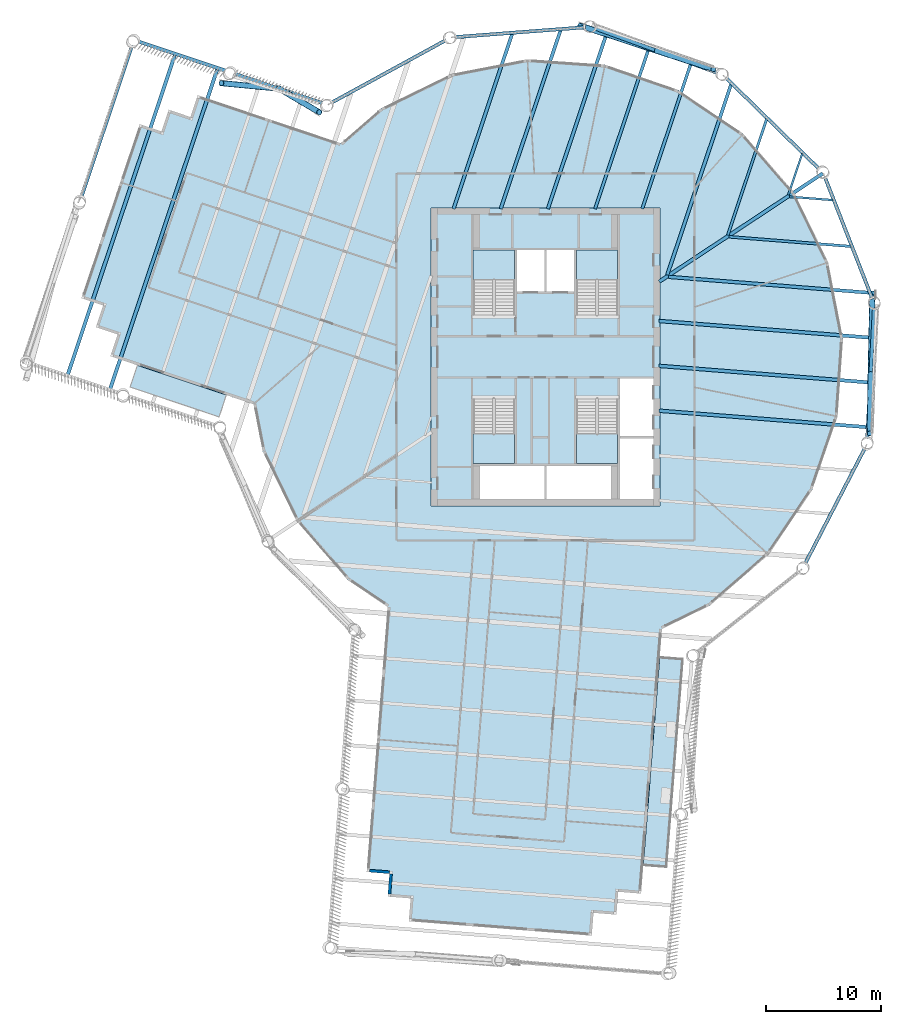
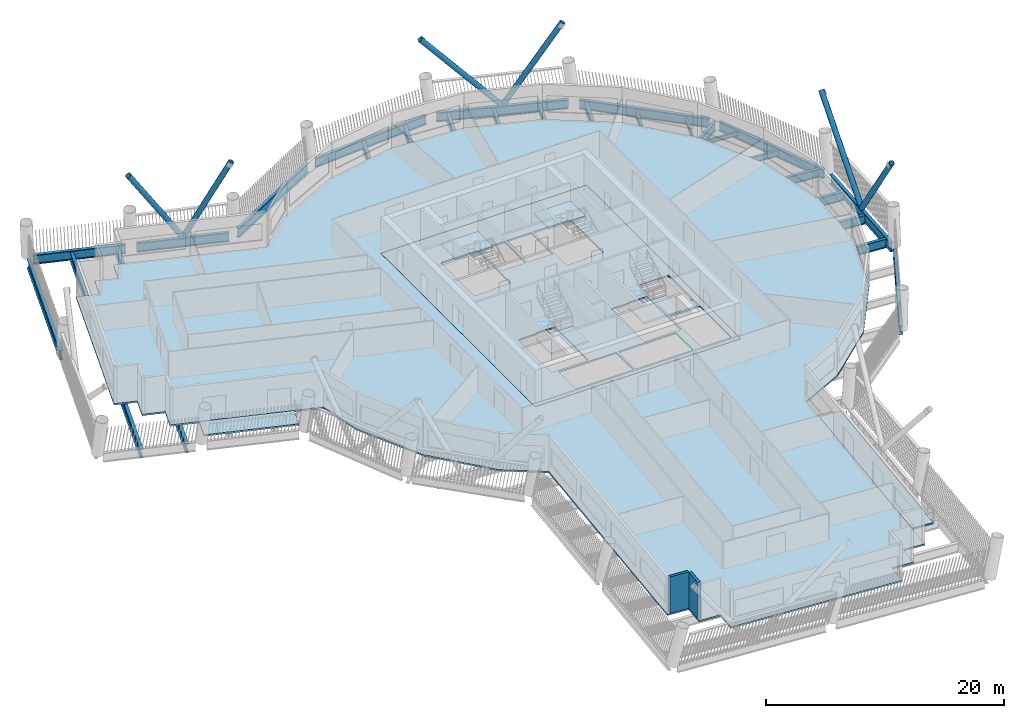
# One storey, part 2 of 21: 27 beams, 8 slabs, 6 members, 2 walls, 4 elements without a shape of their own.
"""IFC4 building model written with IfcOpenShell, lengths in metres."""

import ifcopenshell
import ifcopenshell.guid

model = None  # the IFC model being written
_history = None  # IfcOwnerHistory: only IFC2X3 demands one
_inside = {}  # id of a spatial element -> (the spatial element, [elements in it])
_under = {}  # id of a project, library or spatial element -> (it, [spatial elements below it])
_declared = {}  # id of a project -> (the project, [libraries it declares])
_typed = {}  # id of a type object -> (the type object, [elements of that type])
_made_of = {}  # id of a material, layer set ... -> (it, [elements and type objects made of it])


def new_model(schema):
    """Start an empty IFC model of exactly this schema.

    Asked for "IFC4X3", IfcOpenShell would pick the latest addendum, in which some entities
    have other attributes; the version numbers below select the first issue.
    IFC2X3 requires an IfcOwnerHistory on every rooted entity: one is made here for all.
    """
    global model, _history
    if schema == "IFC4X3":
        model = ifcopenshell.file(schema_version=(4, 3, 0, 0))
    else:
        model = ifcopenshell.file(schema=schema)
    _inside.clear()
    _under.clear()
    _declared.clear()
    _typed.clear()
    _made_of.clear()
    _history = None
    if model.schema == "IFC2X3":
        org = make("IfcOrganization", Name="unknown")
        user = make(
            "IfcPersonAndOrganization",
            ThePerson=make("IfcPerson", FamilyName="unknown"),
            TheOrganization=org,
        )
        app = make(
            "IfcApplication",
            ApplicationDeveloper=org,
            Version="unknown",
            ApplicationFullName="unknown",
            ApplicationIdentifier="unknown",
        )
        _history = make(
            "IfcOwnerHistory",
            OwningUser=user,
            OwningApplication=app,
            ChangeAction="ADDED",
            CreationDate=0,
        )
    return model


def make(cls, **values):
    """One entity of the class cls with the attributes given. An attribute that is None is left unset."""
    return model.create_entity(
        cls, **{name: value for name, value in values.items() if value is not None}
    )


def rooted(cls, **values):
    """An entity with a GlobalId (a new one), such as an element, a storey or a relation."""
    return make(cls, GlobalId=ifcopenshell.guid.new(), OwnerHistory=_history, **values)


def si_unit(unit_type, name, prefix=None):
    """IfcSIUnit, for example si_unit("LENGTHUNIT", "METRE", prefix="MILLI")."""
    return make("IfcSIUnit", UnitType=unit_type, Prefix=prefix, Name=name)


def assignment(units):
    """IfcUnitAssignment: the units of a project."""
    return None if units is None else make("IfcUnitAssignment", Units=units)


def point(xyz):
    """IfcCartesianPoint."""
    return None if xyz is None else make("IfcCartesianPoint", Coordinates=xyz)


def direction(xyz):
    """IfcDirection."""
    return None if xyz is None else make("IfcDirection", DirectionRatios=xyz)


def frame(location, z_axis=None, x_axis=None):
    """IfcAxis2Placement3D, a coordinate frame: its origin and axes. An axis left out is left unset."""
    return make(
        "IfcAxis2Placement3D",
        Location=point(location),
        Axis=direction(z_axis),
        RefDirection=direction(x_axis),
    )


def frame_2d(location, x_axis=None):
    """IfcAxis2Placement2D, a coordinate frame in the plane: its origin and x axis."""
    return make(
        "IfcAxis2Placement2D", Location=point(location), RefDirection=direction(x_axis)
    )


def origin():
    """The frame at (0, 0, 0) with its axes left unset."""
    return frame((0.0, 0.0, 0.0))


def origin_2d():
    """The frame at (0, 0) in the plane with its x axis left unset."""
    return frame_2d((0.0, 0.0))


def place(relative_to, where):
    """IfcLocalPlacement: puts the frame where relative to a parent placement (None: the world)."""
    return make(
        "IfcLocalPlacement", PlacementRelTo=relative_to, RelativePlacement=where
    )


def context(
    kind, dimensions, precision=None, world=None, true_north=None, identifier=None
):
    """IfcGeometricRepresentationContext, for example the 3D "Model" context."""
    return make(
        "IfcGeometricRepresentationContext",
        ContextIdentifier=identifier,
        ContextType=kind,
        CoordinateSpaceDimension=dimensions,
        Precision=precision,
        WorldCoordinateSystem=world,
        TrueNorth=true_north,
    )


def subcontext(parent, identifier, kind, view, scale=None):
    """IfcGeometricRepresentationSubContext, for example "Body" below "Model"."""
    return make(
        "IfcGeometricRepresentationSubContext",
        ContextIdentifier=identifier,
        ContextType=kind,
        ParentContext=parent,
        TargetScale=scale,
        TargetView=view,
    )


def project(units=None, contexts=None):
    """IfcProject with its units and contexts."""
    return rooted(
        "IfcProject",
        Name="project",
        RepresentationContexts=contexts,
        UnitsInContext=assignment(units),
    )


def spatial(cls, under=None, at=None, **own):
    """A site, building, storey or space (cls), placed at a placement, below another one or the project."""
    s = rooted(cls, ObjectPlacement=at, **own)
    if under is not None:
        _under.setdefault(under.id(), (under, []))[1].append(s)
    return s


def polyline(points):
    """IfcPolyline through the points."""
    return make("IfcPolyline", Points=[point(p) for p in points])


def profile(cls, at=None, kind="AREA", **sizes):
    """A parametric profile (cls). Its sizes go by their IFC names, for example OverallWidth=200.0."""
    return make(cls, ProfileType=kind, Position=at, **sizes)


def rectangle(**sizes):
    """IfcRectangleProfileDef."""
    return profile("IfcRectangleProfileDef", **sizes)


def hollow_circle(**sizes):
    """IfcCircleHollowProfileDef."""
    return profile("IfcCircleHollowProfileDef", **sizes)


def i_section(**sizes):
    """IfcIShapeProfileDef."""
    return profile("IfcIShapeProfileDef", **sizes)


def outline(outer, holes=None, kind="AREA"):
    """IfcArbitraryClosedProfileDef: a profile drawn as a closed curve; with holes, ...WithVoids."""
    if holes is None:
        return make("IfcArbitraryClosedProfileDef", ProfileType=kind, OuterCurve=outer)
    return make(
        "IfcArbitraryProfileDefWithVoids",
        ProfileType=kind,
        OuterCurve=outer,
        InnerCurves=holes,
    )


def extrude(swept, where, along, depth):
    """IfcExtrudedAreaSolid: the profile swept, set in the frame where, extruded along a direction by depth."""
    return make(
        "IfcExtrudedAreaSolid",
        SweptArea=swept,
        Position=where,
        ExtrudedDirection=direction(along),
        Depth=depth,
    )


def shape(context_of_items, identifier, shape_type, items):
    """IfcShapeRepresentation: the items that make up one representation, for example the "Body"."""
    return make(
        "IfcShapeRepresentation",
        ContextOfItems=context_of_items,
        RepresentationIdentifier=identifier,
        RepresentationType=shape_type,
        Items=items,
    )


def material(Name=None, Category=None):
    """IfcMaterial."""
    return make("IfcMaterial", Name=Name, Category=Category)


def layer(
    of_material, thickness, ventilated=None, Name=None, Category=None, Priority=None
):
    """IfcMaterialLayer: one layer of a wall or slab, of a material (None: an air gap)."""
    return make(
        "IfcMaterialLayer",
        Material=of_material,
        LayerThickness=thickness,
        IsVentilated=ventilated,
        Name=Name,
        Category=Category,
        Priority=Priority,
    )


def layer_set(layers, Name=None):
    """IfcMaterialLayerSet."""
    return make("IfcMaterialLayerSet", MaterialLayers=layers, LayerSetName=Name)


def material_profile(
    of_material, cross_section, Name=None, Category=None, Priority=None
):
    """IfcMaterialProfile: a cross section and its material."""
    return make(
        "IfcMaterialProfile",
        Name=Name,
        Material=of_material,
        Profile=cross_section,
        Priority=Priority,
        Category=Category,
    )


def profile_set(profiles, Name=None, composite=None):
    """IfcMaterialProfileSet."""
    return make(
        "IfcMaterialProfileSet",
        Name=Name,
        MaterialProfiles=profiles,
        CompositeProfile=composite,
    )


def made_of(thing, what):
    """Note that an element or type object is made of a material, layer set ...; save() writes the relation."""
    if what is not None:
        _made_of.setdefault(what.id(), (what, []))[1].append(thing)
    return thing


def type_object(cls, material=None, **own):
    """A type object (cls), such as IfcWallType, which elements share."""
    return made_of(rooted(cls, **own), material)


def element(
    cls,
    number,
    at=None,
    inside=None,
    cuts=None,
    type_object=None,
    material=None,
    context=None,
    identifier="Body",
    shape_type=None,
    held_by="IfcProductDefinitionShape",
    body=None,
    shapes=None,
    **own,
):
    """One element of the class cls, such as IfcWall. Its Tag is "e" and its number.

    at: its placement. inside: the storey or other place that contains it. cuts: it is an
    opening in that element (IfcRelVoidsElement). A single representation is given by context,
    identifier, shape_type and body (its items); several are given by shapes. held_by: the class
    of the entity that holds the representations. save() writes the other relations.
    """
    e = rooted(cls, Tag="e%d" % number, ObjectPlacement=at, **own)
    if body is not None:
        shapes = [shape(context, identifier, shape_type, body)]
    if shapes is not None:
        e.Representation = make(held_by, Representations=shapes)
    if inside is not None:
        _inside.setdefault(inside.id(), (inside, []))[1].append(e)
    if cuts is not None:
        rooted(
            "IfcRelVoidsElement", RelatingBuildingElement=cuts, RelatedOpeningElement=e
        )
    if type_object is not None:
        _typed.setdefault(type_object.id(), (type_object, []))[1].append(e)
    return made_of(e, material)


def aggregate(whole, parts):
    """IfcRelAggregates: a whole, such as a stair, and the parts it consists of."""
    return rooted("IfcRelAggregates", RelatingObject=whole, RelatedObjects=parts)


def save(model, path):
    """Write the relations noted so far, then the file.

    IfcRelAggregates (storeys below a building ...), IfcRelContainedInSpatialStructure (elements
    in a storey), IfcRelDefinesByType, IfcRelAssociatesMaterial and IfcRelDeclares: one each for
    every whole, place, type object, material and project.
    """
    for whole, parts in _under.values():
        aggregate(whole, parts)
    for where, things in _inside.values():
        rooted(
            "IfcRelContainedInSpatialStructure",
            RelatedElements=things,
            RelatingStructure=where,
        )
    for kind, things in _typed.values():
        rooted("IfcRelDefinesByType", RelatedObjects=things, RelatingType=kind)
    for what, things in _made_of.values():
        rooted("IfcRelAssociatesMaterial", RelatedObjects=things, RelatingMaterial=what)
    for by, libraries in _declared.values():
        rooted("IfcRelDeclares", RelatingContext=by, RelatedDefinitions=libraries)
    model.write(path)


model = new_model("IFC4")

# Units and contexts
model_context = context("Model", 3, precision=1e-05, world=origin(), true_north=direction((0.0, 1.0)))
body_context = subcontext(model_context, "Body", "Model", "MODEL_VIEW")
ifc_project = project(units=[si_unit("LENGTHUNIT", "METRE"), si_unit("AREAUNIT", "SQUARE_METRE"), si_unit("VOLUMEUNIT", "CUBIC_METRE"), si_unit("PLANEANGLEUNIT", "RADIAN"), si_unit("MASSUNIT", "GRAM", prefix="KILO")], contexts=[model_context])

# Site, building, storey
site_placement = place(None, origin())
site = spatial("IfcSite", under=ifc_project, at=site_placement, CompositionType="ELEMENT")
building_placement = place(site_placement, origin())
building = spatial("IfcBuilding", under=site, at=building_placement, Name="Tarsis Ring Headquarters", CompositionType="ELEMENT")
storey_placement = place(building_placement, frame((0.0, 0.0, 208.199951171875)))
storey = spatial("IfcBuildingStorey", under=building, at=storey_placement, Name="L48", CompositionType="ELEMENT", Elevation=208.199951171875)

# Beams
ifc_material_1 = material(Name="Structural steel S355", Category="steel")
ifc_material_profile_1 = material_profile(ifc_material_1, i_section(OverallWidth=0.177734375, OverallDepth=0.406494140625, WebThickness=0.0078125, FlangeThickness=0.0126953125, at=origin_2d()), Name="W16x40")
ifc_profile_set_1 = profile_set([ifc_material_profile_1], Name="Structural steel S355")
beam_type_1 = type_object("IfcBeamType", Name="FB Floor beam W16x40", PredefinedType="JOIST", material=ifc_profile_set_1)
for number, where, z_axis, x_axis, name in (
    (1, (21.28564453125, 13.966064453125, -0.363037109375), (0.996886081731, -0.078855184041, 0.0), (0.078855184041, 0.996886081731, 0.0), "Floor beam FB1"),
    (2, (22.39111328125, 17.72998046875, -0.363037109375), (-0.317594054747, -0.948226774769, 0.0), (0.948226774769, -0.317594054747, 0.0), "Floor beam FB1"),
):
    element("IfcBeam", number, at=place(storey_placement, frame(where, z_axis=z_axis, x_axis=x_axis)), inside=storey, type_object=beam_type_1, Name=name, PredefinedType="JOIST", context=body_context, shape_type="SweptSolid", body=[
        extrude(i_section(OverallWidth=0.177734375, OverallDepth=0.406494140625, WebThickness=0.0078125, FlangeThickness=0.0126953125, at=origin_2d()), origin(), (0.0, 0.0, 1.0), 3.80517578125),
    ])
ifc_material_profile_2 = material_profile(ifc_material_1, i_section(OverallWidth=0.228271484375, OverallDepth=0.607177734375, WebThickness=0.01123046875, FlangeThickness=0.017333984375, at=origin_2d()), Name="W24x76")
ifc_profile_set_2 = profile_set([ifc_material_profile_2], Name="Structural steel S355")
beam_type_2 = type_object("IfcBeamType", Name="FB Floor beam W24x76", PredefinedType="JOIST", material=ifc_profile_set_2)
beam_1_placement = place(storey_placement, frame((16.001953125, 10.471435546875, -0.463623046875), z_axis=(0.996889887246, -0.078807060008, 0.0), x_axis=(0.078807060008, 0.996889887246, 0.0)))
element("IfcBeam", 3, at=beam_1_placement, inside=storey, type_object=beam_type_2, Name="Floor beam FB4", PredefinedType="JOIST", context=body_context, shape_type="SweptSolid", body=[
    extrude(i_section(OverallWidth=0.228271484375, OverallDepth=0.607177734375, WebThickness=0.01123046875, FlangeThickness=0.017333984375, at=origin_2d()), origin(), (0.0, 0.0, 1.0), 10.684814453125),
])
beam_2_placement = place(storey_placement, frame((19.292724609375, 20.758544921875, -0.463623046875), z_axis=(-0.31763267118, -0.948213839911, 0.0), x_axis=(0.948213839911, -0.31763267118, 0.0)))
element("IfcBeam", 4, at=beam_2_placement, inside=storey, type_object=beam_type_2, Name="Floor beam FB4", PredefinedType="JOIST", context=body_context, shape_type="SweptSolid", body=[
    extrude(i_section(OverallWidth=0.228271484375, OverallDepth=0.607177734375, WebThickness=0.01123046875, FlangeThickness=0.017333984375, at=origin_2d()), origin(), (0.0, 0.0, 1.0), 10.6845703125),
])
ifc_material_profile_3 = material_profile(ifc_material_1, i_section(OverallWidth=0.2666015625, OverallDepth=0.7568359375, WebThickness=0.013916015625, FlangeThickness=0.019287109375, at=origin_2d()), Name="W30x108")
ifc_profile_set_3 = profile_set([ifc_material_profile_3], Name="Structural steel S355")
beam_type_3 = type_object("IfcBeamType", Name="FB Floor beam W30x108", PredefinedType="JOIST", material=ifc_profile_set_3)
beam_3_placement = place(storey_placement, frame((12.6708984375, 25.547119140625, -0.538330078125), z_axis=(-0.317639267985, -0.948211630088, 0.0), x_axis=(0.948211630088, -0.317639267985, 0.0)))
element("IfcBeam", 5, at=beam_3_placement, inside=storey, type_object=beam_type_3, Name="Floor beam FB6", PredefinedType="JOIST", context=body_context, shape_type="SweptSolid", body=[
    extrude(i_section(OverallWidth=0.2666015625, OverallDepth=0.7568359375, WebThickness=0.013916015625, FlangeThickness=0.019287109375, at=origin_2d()), origin(), (0.0, 0.0, 1.0), 13.332275390625),
])
beam_4_placement = place(storey_placement, frame((9.005126953125, 26.8818359375, -0.538330078125), z_axis=(-0.317648531454, -0.948208526889, 0.0), x_axis=(0.948208526889, -0.317648531454, 0.0)))
element("IfcBeam", 6, at=beam_4_placement, inside=storey, type_object=beam_type_3, Name="Floor beam FB6", PredefinedType="JOIST", context=body_context, shape_type="SweptSolid", body=[
    extrude(i_section(OverallWidth=0.2666015625, OverallDepth=0.7568359375, WebThickness=0.013916015625, FlangeThickness=0.019287109375, at=origin_2d()), origin(), (0.0, 0.0, 1.0), 14.739990234375),
])
ifc_material_profile_4 = material_profile(ifc_material_1, i_section(OverallWidth=0.2919921875, OverallDepth=0.835693359375, WebThickness=0.013916015625, FlangeThickness=0.018798828125, at=origin_2d()), Name="W33x118")
ifc_profile_set_4 = profile_set([ifc_material_profile_4], Name="Structural steel S355")
beam_type_4 = type_object("IfcBeamType", Name="FB Floor beam W33x118", PredefinedType="JOIST", material=ifc_profile_set_4)
for number, where, z_axis, x_axis, name in (
    (7, (10.718505859375, 6.97705078125, -0.577880859375), (0.996889446738, -0.07881263212, 0.0), (0.07881263212, 0.996889446738, 0.0), "Floor beam FB7"),
    (8, (16.1943359375, 23.787353515625, -0.577880859375), (-0.317628539539, -0.948215223918, 0.0), (0.948215223918, -0.317628539539, 0.0), "Floor beam FB7"),
):
    element("IfcBeam", number, at=place(storey_placement, frame(where, z_axis=z_axis, x_axis=x_axis)), inside=storey, type_object=beam_type_4, Name=name, PredefinedType="JOIST", context=body_context, shape_type="SweptSolid", body=[
        extrude(i_section(OverallWidth=0.2919921875, OverallDepth=0.835693359375, WebThickness=0.013916015625, FlangeThickness=0.018798828125, at=origin_2d()), origin(), (0.0, 0.0, 1.0), 17.564208984375),
    ])
beam_5_placement = place(storey_placement, frame((5.339111328125, 28.216552734375, -0.577880859375), z_axis=(-0.317642586057, -0.948210518568, 0.0), x_axis=(0.948210518568, -0.317642586057, 0.0)))
element("IfcBeam", 9, at=beam_5_placement, inside=storey, type_object=beam_type_4, Name="Floor beam FB7", PredefinedType="JOIST", context=body_context, shape_type="SweptSolid", body=[
    extrude(i_section(OverallWidth=0.2919921875, OverallDepth=0.835693359375, WebThickness=0.013916015625, FlangeThickness=0.018798828125, at=origin_2d()), origin(), (0.0, 0.0, 1.0), 16.1474609375),
])
beam_6_placement = place(storey_placement, frame((1.325927734375, 28.5146484375, -0.577880859375), z_axis=(-0.317642255651, -0.948210629251, 0.0), x_axis=(0.948210629251, -0.317642255651, 0.0)))
element("IfcBeam", 10, at=beam_6_placement, inside=storey, type_object=beam_type_4, Name="Floor beam FB7", PredefinedType="JOIST", context=body_context, shape_type="SweptSolid", body=[
    extrude(i_section(OverallWidth=0.2919921875, OverallDepth=0.835693359375, WebThickness=0.013916015625, FlangeThickness=0.018798828125, at=origin_2d()), origin(), (0.0, 0.0, 1.0), 16.4619140625),
])
beam_7_placement = place(storey_placement, frame((-2.894287109375, 28.194580078125, -0.577880859375), z_axis=(-0.317631004341, -0.948214398267, 0.0), x_axis=(0.948214398267, -0.317631004341, 0.0)))
element("IfcBeam", 11, at=beam_7_placement, inside=storey, type_object=beam_type_4, Name="Floor beam FB7", PredefinedType="JOIST", context=body_context, shape_type="SweptSolid", body=[
    extrude(i_section(OverallWidth=0.2919921875, OverallDepth=0.835693359375, WebThickness=0.013916015625, FlangeThickness=0.018798828125, at=origin_2d()), origin(), (0.0, 0.0, 1.0), 16.124267578125),
])
ifc_material_profile_5 = material_profile(ifc_material_1, i_section(OverallWidth=0.3046875, OverallDepth=0.904296875, WebThickness=0.01513671875, FlangeThickness=0.02001953125, at=origin_2d()), Name="W36x135")
ifc_profile_set_5 = profile_set([ifc_material_profile_5], Name="Structural steel S355")
beam_type_5 = type_object("IfcBeamType", Name="FB Floor beam W36x135", PredefinedType="JOIST", material=ifc_profile_set_5)
beam_8_placement = place(storey_placement, frame((9.900390625, 3.129638671875, -0.612060546875), z_axis=(0.996889238571, -0.078815265157, 0.0), x_axis=(0.078815265157, 0.996889238571, 0.0)))
element("IfcBeam", 12, at=beam_8_placement, inside=storey, type_object=beam_type_5, Name="Floor beam FB8", PredefinedType="JOIST", context=body_context, shape_type="SweptSolid", body=[
    extrude(i_section(OverallWidth=0.3046875, OverallDepth=0.904296875, WebThickness=0.01513671875, FlangeThickness=0.02001953125, at=origin_2d()), origin(), (0.0, 0.0, 1.0), 18.6259765625),
])
beam_9_placement = place(storey_placement, frame((9.900390625, -0.78271484375, -0.612060546875), z_axis=(0.996890398858, -0.078800587978, 0.0), x_axis=(0.078800587978, 0.996890398858, 0.0)))
element("IfcBeam", 13, at=beam_9_placement, inside=storey, type_object=beam_type_5, Name="Floor beam FB8", PredefinedType="JOIST", context=body_context, shape_type="SweptSolid", body=[
    extrude(i_section(OverallWidth=0.3046875, OverallDepth=0.904296875, WebThickness=0.01513671875, FlangeThickness=0.02001953125, at=origin_2d()), origin(), (0.0, 0.0, 1.0), 18.4189453125),
])
beam_10_placement = place(storey_placement, frame((9.900390625, -4.69482421875, -0.612060546875), z_axis=(0.996889479179, -0.078812221778, 0.0), x_axis=(0.078812221778, 0.996889479179, 0.0)))
element("IfcBeam", 14, at=beam_10_placement, inside=storey, type_object=beam_type_5, Name="Floor beam FB8", PredefinedType="JOIST", context=body_context, shape_type="SweptSolid", body=[
    extrude(i_section(OverallWidth=0.3046875, OverallDepth=0.904296875, WebThickness=0.01513671875, FlangeThickness=0.02001953125, at=origin_2d()), origin(), (0.0, 0.0, 1.0), 18.211669921875),
])
ifc_material_profile_6 = material_profile(ifc_material_1, i_section(OverallWidth=0.309814453125, OverallDepth=0.949951171875, WebThickness=0.0244140625, FlangeThickness=0.0439453125, at=origin_2d()), Name="W36x256")
ifc_profile_set_6 = profile_set([ifc_material_profile_6], Name="Structural steel S355")
beam_type_6 = type_object("IfcBeamType", Name="FB Floor beam W36x256", PredefinedType="JOIST", material=ifc_profile_set_6)
for number, where, z_axis, x_axis, name in (
    (15, (-28.5986328125, 25.13037109375, -0.635009765625), (-0.317638111096, -0.948212017631, 0.0), (0.948212017631, -0.317638111096, 0.0), "Floor beam FB11"),
    (16, (-32.296630859375, 26.369140625, -0.635009765625), (-0.317638111096, -0.948212017631, 0.0), (0.948212017631, -0.317638111096, 0.0), "Floor beam FB11"),
):
    element("IfcBeam", number, at=place(storey_placement, frame(where, z_axis=z_axis, x_axis=x_axis)), inside=storey, type_object=beam_type_6, Name=name, PredefinedType="JOIST", context=body_context, shape_type="SweptSolid", body=[
        extrude(i_section(OverallWidth=0.309814453125, OverallDepth=0.949951171875, WebThickness=0.0244140625, FlangeThickness=0.0439453125, at=origin_2d()), origin(), (0.0, 0.0, 1.0), 29.490234375),
    ])
beam_type_7 = type_object("IfcBeamType", Name="FB Floor beam W36x256 spine", PredefinedType="BEAM", material=ifc_profile_set_6)
beam_11_placement = place(storey_placement, frame((24.179931640625, 15.9921875, -0.635009765625), z_axis=(-0.834078559819, -0.551645679808, 0.0), x_axis=(0.551645679808, -0.834078559819, 0.0)))
element("IfcBeam", 17, at=beam_11_placement, inside=storey, type_object=beam_type_7, Name="Floor beam SB11", PredefinedType="BEAM", context=body_context, shape_type="SweptSolid", body=[
    extrude(i_section(OverallWidth=0.309814453125, OverallDepth=0.949951171875, WebThickness=0.0244140625, FlangeThickness=0.0439453125, at=origin_2d()), origin(), (0.0, 0.0, 1.0), 17.100830078125),
])

# Members
ifc_material_profile_7 = material_profile(ifc_material_1, hollow_circle(Radius=0.25390625, WallThickness=0.02001953125, at=origin_2d()), Name="CHS 508x20")
ifc_profile_set_7 = profile_set([ifc_material_profile_7], Name="Structural steel S355")
member_type = type_object("IfcMemberType", Name="XD X brace CHS 508x20", PredefinedType="BRACE", material=ifc_profile_set_7)
member_1_placement = place(storey_placement, frame((28.355712890625, -1.502685546875, 0.0), z_axis=(0.014581903931, 0.671718070609, 0.740663352472), x_axis=(-0.999764456599, 0.021703256021, 0.0)))
element("IfcMember", 18, at=member_1_placement, inside=storey, type_object=member_type, Name="X brace XD2", PredefinedType="BRACE", context=body_context, shape_type="SweptSolid", body=[
    extrude(hollow_circle(Radius=0.25390625, WallThickness=0.02001953125, at=origin_2d()), origin(), (0.0, 0.0, 1.0), 10.53125),
])
member_2_placement = place(storey_placement, frame((28.355712890625, -1.502685546875, 0.0), z_axis=(-0.009025156996, -0.552647402503, 0.833366303043), x_axis=(0.99986667966, -0.016328591644, 0.0)))
element("IfcMember", 19, at=member_2_placement, inside=storey, type_object=member_type, Name="X brace XD2", PredefinedType="BRACE", context=body_context, shape_type="SweptSolid", body=[
    extrude(hollow_circle(Radius=0.25390625, WallThickness=0.02001953125, at=origin_2d()), origin(), (0.0, 0.0, 1.0), 9.359619140625),
])
member_3_placement = place(storey_placement, frame((9.71484375, 26.68212890625, 0.0), z_axis=(-0.638215652401, 0.210010737199, 0.740659349021), x_axis=(-0.312571450131, -0.949894251253, 0.0)))
element("IfcMember", 20, at=member_3_placement, inside=storey, type_object=member_type, Name="X brace XD2", PredefinedType="BRACE", context=body_context, shape_type="SweptSolid", body=[
    extrude(hollow_circle(Radius=0.25390625, WallThickness=0.02001953125, at=origin_2d()), origin(), (0.0, 0.0, 1.0), 10.53125),
])
member_4_placement = place(storey_placement, frame((9.71484375, 26.68212890625, 0.0), z_axis=(0.525918932418, -0.169967650215, 0.833378830068), x_axis=(0.307521209763, 0.951541226404, 0.0)))
element("IfcMember", 21, at=member_4_placement, inside=storey, type_object=member_type, Name="X brace XD2", PredefinedType="BRACE", context=body_context, shape_type="SweptSolid", body=[
    extrude(hollow_circle(Radius=0.25390625, WallThickness=0.02001953125, at=origin_2d()), origin(), (0.0, 0.0, 1.0), 9.359619140625),
])
member_5_placement = place(storey_placement, frame((-23.220703125, 23.386962890625, 0.0), z_axis=(-0.541694282554, 0.051679966457, 0.838985390407), x_axis=(-0.094973062373, -0.995479842801, 0.0)))
element("IfcMember", 22, at=member_5_placement, inside=storey, type_object=member_type, Name="X brace XD2", PredefinedType="BRACE", context=body_context, shape_type="SweptSolid", body=[
    extrude(hollow_circle(Radius=0.25390625, WallThickness=0.02001953125, at=origin_2d()), origin(), (0.0, 0.0, 1.0), 9.297119140625),
])
member_6_placement = place(storey_placement, frame((-23.220703125, 23.386962890625, 0.0), z_axis=(0.397502292661, -0.234597434388, 0.887105388952), x_axis=(0.508263093018, 0.861201851064, 0.0)))
element("IfcMember", 23, at=member_6_placement, inside=storey, type_object=member_type, Name="X brace XD2", PredefinedType="BRACE", context=body_context, shape_type="SweptSolid", body=[
    extrude(hollow_circle(Radius=0.25390625, WallThickness=0.02001953125, at=origin_2d()), origin(), (0.0, 0.0, 1.0), 8.792724609375),
])

# Beams
beam_type_8 = type_object("IfcBeamType", Name="XG Ring girder W36x256", PredefinedType="BEAM", material=ifc_profile_set_6)
for number, where, z_axis, x_axis, name in (
    (24, (22.619873046875, -18.0693359375, -0.474853515625), (0.45983353955, 0.888005132815, 0.0), (-0.888005132815, 0.45983353955, 0.0), "Ring girder XG2"),
    (25, (28.05712890625, -7.13916015625, -0.474853515625), (0.052922073176, 0.998598645188, 0.0), (-0.998598645188, 0.052922073176, 0.0), "Ring girder XG2"),
    (26, (28.50537109375, 5.060302734375, -0.474853515625), (-0.363401028502, 0.931632809901, 0.0), (-0.931632809901, -0.363401028502, 0.0), "Ring girder XG2"),
):
    element("IfcBeam", number, at=place(storey_placement, frame(where, z_axis=z_axis, x_axis=x_axis)), inside=storey, type_object=beam_type_8, Name=name, PredefinedType="BEAM", context=body_context, shape_type="SweptSolid", body=[
        extrude(i_section(OverallWidth=0.309814453125, OverallDepth=0.949951171875, WebThickness=0.0244140625, FlangeThickness=0.0439453125, at=origin_2d()), origin(), (0.0, 0.0, 1.0), 11.28857421875),
    ])
beam_12_placement = place(storey_placement, frame((23.885498046875, 16.360107421875, -0.474853515625), z_axis=(-0.715095551638, 0.699026717678, 0.0), x_axis=(-0.699026717678, -0.715095551638, 0.0)))
element("IfcBeam", 27, at=beam_12_placement, inside=storey, type_object=beam_type_8, Name="Ring girder XG2", PredefinedType="BEAM", context=body_context, shape_type="SweptSolid", body=[
    extrude(i_section(OverallWidth=0.309814453125, OverallDepth=0.949951171875, WebThickness=0.0244140625, FlangeThickness=0.0439453125, at=origin_2d()), origin(), (0.0, 0.0, 1.0), 11.288818359375),
])
for number, where, z_axis, x_axis, name in (
    (28, (15.0185546875, 24.7509765625, -0.474853515625), (-0.939656323387, 0.34211985315, 0.0), (-0.34211985315, -0.939656323387, 0.0), "Ring girder XG2"),
    (29, (3.481201171875, 28.740966796875, -0.474853515625), (-0.997137601113, -0.075608230024, 0.0), (0.075608230024, -0.997137601113, 0.0), "Ring girder XG2"),
    (30, (-8.675048828125, 27.620849609375, -0.474853515625), (-0.877321345148, -0.479903383347, 0.0), (0.479903383347, -0.877321345148, 0.0), "Ring girder XG2"),
):
    element("IfcBeam", number, at=place(storey_placement, frame(where, z_axis=z_axis, x_axis=x_axis)), inside=storey, type_object=beam_type_8, Name=name, PredefinedType="BEAM", context=body_context, shape_type="SweptSolid", body=[
        extrude(i_section(OverallWidth=0.309814453125, OverallDepth=0.949951171875, WebThickness=0.0244140625, FlangeThickness=0.0439453125, at=origin_2d()), origin(), (0.0, 0.0, 1.0), 11.28857421875),
    ])
for number, where, z_axis, x_axis, name in (
    (31, (-19.455322265625, 22.12548828125, -0.474853515625), (-0.948211923862, 0.317638391015, 0.0), (-0.317638391015, -0.948211923862, 0.0), "Ring girder XG2"),
    (32, (-27.896484375, 24.953125, -0.474853515625), (-0.948211923862, 0.317638391015, 0.0), (-0.317638391015, -0.948211923862, 0.0), "Ring girder XG2"),
):
    element("IfcBeam", number, at=place(storey_placement, frame(where, z_axis=z_axis, x_axis=x_axis)), inside=storey, type_object=beam_type_8, Name=name, PredefinedType="BEAM", context=body_context, shape_type="SweptSolid", body=[
        extrude(i_section(OverallWidth=0.309814453125, OverallDepth=0.949951171875, WebThickness=0.0244140625, FlangeThickness=0.0439453125, at=origin_2d()), origin(), (0.0, 0.0, 1.0), 7.942138671875),
    ])
beam_13_placement = place(storey_placement, frame((-36.034912109375, 27.173095703125, -0.474853515625), z_axis=(-0.317635131052, -0.9482130159, 0.0), x_axis=(0.9482130159, -0.317635131052, 0.0)))
element("IfcBeam", 33, at=beam_13_placement, inside=storey, type_object=beam_type_8, Name="Ring girder XG2", PredefinedType="BEAM", context=body_context, shape_type="SweptSolid", body=[
    extrude(i_section(OverallWidth=0.309814453125, OverallDepth=0.949951171875, WebThickness=0.0244140625, FlangeThickness=0.0439453125, at=origin_2d()), origin(), (0.0, 0.0, 1.0), 13.83984375),
])

# Slabs
ifc_material_2 = material(Name="Concrete C40/50", Category="concrete")
ifc_layer_1 = layer(ifc_material_2, 0.159912109375)
ifc_layer_set_1 = layer_set([ifc_layer_1], Name="Balcony slab concrete C40/50")
slab_type_1 = type_object("IfcSlabType", Name="Balcony slab concrete C40/50", PredefinedType="FLOOR", material=ifc_layer_set_1)
slab_1_placement = place(storey_placement, frame((0.0, 0.0, -0.159912109375)))
element("IfcSlab", 34, at=slab_1_placement, inside=storey, type_object=slab_type_1, Name="Balcony slab L48-01", PredefinedType="FLOOR", context=body_context, shape_type="SweptSolid", body=[
    extrude(outline(polyline([(-35.57666015625, -0.73779296875), (-36.2119140625, -2.63427734375), (-28.463134765625, -5.22998046875), (-27.827880859375, -3.33349609375), (-35.57666015625, -0.73779296875)])), origin(), (0.0, 0.0, 1.0), 0.159912109375),
])
slab_2_placement = place(storey_placement, frame((0.0, 0.0, -0.159912109375)))
element("IfcSlab", 35, at=slab_2_placement, inside=storey, type_object=slab_type_1, Name="Balcony slab L48-16", PredefinedType="FLOOR", context=body_context, shape_type="SweptSolid", body=[
    extrude(outline(polyline([(8.53466796875, -44.310302734375), (10.5283203125, -44.468017578125), (11.958740234375, -26.373046875), (9.965087890625, -26.215576171875), (8.53466796875, -44.310302734375)])), origin(), (0.0, 0.0, 1.0), 0.159912109375),
])
ifc_layer_2 = layer(ifc_material_2, 0.159912109375)
ifc_layer_set_2 = layer_set([ifc_layer_2], Name="Core floor slab 160 C40/50")
slab_type_2 = type_object("IfcSlabType", Name="Core floor slab 160 C40/50", PredefinedType="FLOOR", material=ifc_layer_set_2)
slab_3_placement = place(storey_placement, frame((0.0, 0.0, -0.159912109375)))
element("IfcSlab", 36, at=slab_3_placement, inside=storey, type_object=slab_type_2, Name="L48 core floor slab", PredefinedType="FLOOR", context=body_context, shape_type="SweptSolid", body=[
    extrude(outline(polyline([(-10.0, -13.0), (10.0, -13.0), (10.0, 13.0), (-10.0, 13.0), (-10.0, -13.0)]), holes=[polyline([(-2.5, 5.699951171875), (-0.10009765625, 5.699951171875), (-0.10009765625, 9.300048828125), (-2.5, 9.300048828125), (-2.5, 5.699951171875)]), polyline([(0.10009765625, 5.699951171875), (2.5, 5.699951171875), (2.5, 9.300048828125), (0.10009765625, 9.300048828125), (0.10009765625, 5.699951171875)]), polyline([(6.5, -12.39990234375), (9.39990234375, -12.39990234375), (9.39990234375, -7.10009765625), (6.5, -7.10009765625), (6.5, -12.39990234375)]), polyline([(6.5, -6.89990234375), (9.39990234375, -6.89990234375), (9.39990234375, -1.89990234375), (6.5, -1.89990234375), (6.5, -6.89990234375)]), polyline([(-5.699951171875, -12.39990234375), (-0.10009765625, -12.39990234375), (-0.10009765625, -9.5), (-5.699951171875, -9.5), (-5.699951171875, -12.39990234375)]), polyline([(0.10009765625, -12.39990234375), (5.699951171875, -12.39990234375), (5.699951171875, -9.5), (0.10009765625, -9.5), (0.10009765625, -12.39990234375)]), polyline([(-2.699951171875, 3.760009765625), (-2.699951171875, 9.300048828125), (-6.300048828125, 9.300048828125), (-6.300048828125, 3.659912109375), (-4.4599609375, 3.659912109375), (-4.4599609375, 3.760009765625), (-2.699951171875, 3.760009765625)]), polyline([(6.300048828125, 3.760009765625), (6.300048828125, 9.300048828125), (2.699951171875, 9.300048828125), (2.699951171875, 3.659912109375), (4.5400390625, 3.659912109375), (4.5400390625, 3.760009765625), (6.300048828125, 3.760009765625)]), polyline([(-6.300048828125, -3.760009765625), (-6.300048828125, -9.300048828125), (-2.699951171875, -9.300048828125), (-2.699951171875, -3.659912109375), (-4.5400390625, -3.659912109375), (-4.5400390625, -3.760009765625), (-6.300048828125, -3.760009765625)]), polyline([(2.699951171875, -3.760009765625), (2.699951171875, -9.300048828125), (6.300048828125, -9.300048828125), (6.300048828125, -3.659912109375), (4.4599609375, -3.659912109375), (4.4599609375, -3.760009765625), (2.699951171875, -3.760009765625)])]), origin(), (0.0, 0.0, 1.0), 0.159912109375),
])

# Stair, slab
ifc_material_3 = material(Name="Core stair 1760")
stair_type = type_object("IfcStairType", Name="Core stair 1760", PredefinedType="HALF_TURN_STAIR", material=ifc_material_3)
stair_1_placement = place(storey_placement, origin())
stair_1 = element("IfcStair", 37, at=stair_1_placement, inside=storey, type_object=stair_type, Name="L48 Firefighting stair", PredefinedType="HALF_TURN_STAIR")
ifc_layer_3 = layer(ifc_material_2, 0.199951171875)
ifc_layer_set_3 = layer_set([ifc_layer_3], Name="Core stair landing 200")
slab_type_3 = type_object("IfcSlabType", Name="Core stair landing 200", PredefinedType="LANDING", material=ifc_layer_set_3)
slab_4_placement = place(storey_placement, frame((0.0, 0.0, 1.75)))
slab_4 = element("IfcSlab", 38, at=slab_4_placement, type_object=slab_type_3, Name="Stair ST1 landing 1", PredefinedType="LANDING", context=body_context, shape_type="SweptSolid", body=[
    extrude(outline(polyline([(-2.699951171875, 6.739990234375), (-2.699951171875, 9.300048828125), (-6.300048828125, 9.300048828125), (-6.300048828125, 6.739990234375), (-2.699951171875, 6.739990234375)])), origin(), (0.0, 0.0, 1.0), 0.199951171875),
])
aggregate(stair_1, [slab_4])

stair_2_placement = place(storey_placement, origin())
stair_2 = element("IfcStair", 39, at=stair_2_placement, inside=storey, type_object=stair_type, Name="L48 Exit stair B", PredefinedType="HALF_TURN_STAIR")
slab_5_placement = place(storey_placement, frame((0.0, 0.0, 1.75)))
slab_5 = element("IfcSlab", 40, at=slab_5_placement, type_object=slab_type_3, Name="Stair ST2 landing 1", PredefinedType="LANDING", context=body_context, shape_type="SweptSolid", body=[
    extrude(outline(polyline([(6.300048828125, 6.739990234375), (6.300048828125, 9.300048828125), (2.699951171875, 9.300048828125), (2.699951171875, 6.739990234375), (6.300048828125, 6.739990234375)])), origin(), (0.0, 0.0, 1.0), 0.199951171875),
])
aggregate(stair_2, [slab_5])

stair_3_placement = place(storey_placement, origin())
stair_3 = element("IfcStair", 41, at=stair_3_placement, inside=storey, type_object=stair_type, Name="L48 Exit stair C", PredefinedType="HALF_TURN_STAIR")
slab_6_placement = place(storey_placement, frame((0.0, 0.0, 1.75)))
slab_6 = element("IfcSlab", 42, at=slab_6_placement, type_object=slab_type_3, Name="Stair ST3 landing 1", PredefinedType="LANDING", context=body_context, shape_type="SweptSolid", body=[
    extrude(outline(polyline([(-6.300048828125, -6.739990234375), (-6.300048828125, -9.300048828125), (-2.699951171875, -9.300048828125), (-2.699951171875, -6.739990234375), (-6.300048828125, -6.739990234375)])), origin(), (0.0, 0.0, 1.0), 0.199951171875),
])
aggregate(stair_3, [slab_6])

stair_4_placement = place(storey_placement, origin())
stair_4 = element("IfcStair", 43, at=stair_4_placement, inside=storey, type_object=stair_type, Name="L48 Exit stair D", PredefinedType="HALF_TURN_STAIR")
slab_7_placement = place(storey_placement, frame((0.0, 0.0, 1.75)))
slab_7 = element("IfcSlab", 44, at=slab_7_placement, type_object=slab_type_3, Name="Stair ST4 landing 1", PredefinedType="LANDING", context=body_context, shape_type="SweptSolid", body=[
    extrude(outline(polyline([(2.699951171875, -6.739990234375), (2.699951171875, -9.300048828125), (6.300048828125, -9.300048828125), (6.300048828125, -6.739990234375), (2.699951171875, -6.739990234375)])), origin(), (0.0, 0.0, 1.0), 0.199951171875),
])
aggregate(stair_4, [slab_7])

# Slab
ifc_material_4 = material(Name="Concrete C35/45", Category="concrete")
ifc_layer_4 = layer(ifc_material_4, 0.159912109375)
ifc_layer_set_4 = layer_set([ifc_layer_4], Name="FS Composite floor slab 160")
slab_type_4 = type_object("IfcSlabType", Name="FS Composite floor slab 160", PredefinedType="FLOOR", material=ifc_layer_set_4)
slab_8_placement = place(storey_placement, frame((0.0, 0.0, -0.159912109375)))
element("IfcSlab", 45, at=slab_8_placement, inside=storey, type_object=slab_type_4, Name="Floor slab L48", PredefinedType="FLOOR", context=body_context, shape_type="SweptSolid", body=[
    extrude(outline(polyline([(-25.45751953125, -4.127685546875), (-24.6591796875, -8.2412109375), (-21.68603515625, -14.3427734375), (-17.23486328125, -19.466796875), (-13.76171875, -21.811279296875), (-15.587890625, -44.9111328125), (-13.593994140625, -45.06884765625), (-13.751708984375, -47.062744140625), (-11.7578125, -47.22021484375), (-11.91552734375, -49.214111328125), (4.03466796875, -50.474853515625), (4.1923828125, -48.481201171875), (6.186279296875, -48.638671875), (6.34375, -46.64501953125), (8.337646484375, -46.802734375), (10.162109375, -23.723388671875), (14.3427734375, -21.68603515625), (19.466796875, -17.23486328125), (23.26416015625, -11.609375), (25.476318359375, -5.1923828125), (25.9521484375, 1.578125), (24.6591796875, 8.2412109375), (21.68603515625, 14.3427734375), (17.23486328125, 19.466796875), (11.609375, 23.26416015625), (5.1923828125, 25.476318359375), (-1.578125, 25.9521484375), (-8.2412109375, 24.6591796875), (-14.3427734375, 21.68603515625), (-17.853759765625, 18.63623046875), (-30.323974609375, 22.8134765625), (-30.959228515625, 20.9169921875), (-32.855712890625, 21.55224609375), (-33.490966796875, 19.65576171875), (-35.387451171875, 20.291015625), (-40.469482421875, 5.11962890625), (-38.5732421875, 4.484375), (-39.20849609375, 2.588134765625), (-37.31201171875, 1.95263671875), (-37.947265625, 0.056396484375), (-25.45751953125, -4.127685546875)]), holes=[polyline([(-10.0, -13.0), (-10.0, 13.0), (10.0, 13.0), (10.0, -13.0), (-10.0, -13.0)])]), origin(), (0.0, 0.0, 1.0), 0.159912109375),
])

# Walls
ifc_material_5 = material(Name="Terracotta clad insulated panel wall", Category="masonry")
ifc_layer_5 = layer(ifc_material_5, 0.25)
ifc_layer_set_5 = layer_set([ifc_layer_5], Name="Facade wall terracotta panel 250")
wall_type = type_object("IfcWallType", Name="Facade wall terracotta panel 250", PredefinedType="STANDARD", material=ifc_layer_set_5)
wall_1_placement = place(storey_placement, frame((-15.32861328125, -44.806396484375, 0.0), z_axis=(0.0, 0.0, 1.0), x_axis=(0.996888057982, -0.078830196327, 0.0)))
element("IfcWall", 46, at=wall_1_placement, inside=storey, type_object=wall_type, Name="External wall L48-07", PredefinedType="STANDARD", context=body_context, shape_type="SweptSolid", body=[
    extrude(rectangle(XDim=1.749755859375, YDim=0.25, at=frame_2d((0.875, 0.0))), origin(), (0.0, 0.0, 1.0), 3.739990234375),
])
wall_2_placement = place(storey_placement, frame((-13.469482421875, -45.07861328125, 0.0), z_axis=(0.0, 0.0, 1.0), x_axis=(-0.078819233491, -0.996888924822, 0.0)))
element("IfcWall", 47, at=wall_2_placement, inside=storey, type_object=wall_type, Name="External wall L48-08", PredefinedType="STANDARD", context=body_context, shape_type="SweptSolid", body=[
    extrude(rectangle(XDim=1.75, YDim=0.25, at=frame_2d((0.875, 0.0))), origin(), (0.0, 0.0, 1.0), 3.739990234375),
])

save(model, "model.ifc")
